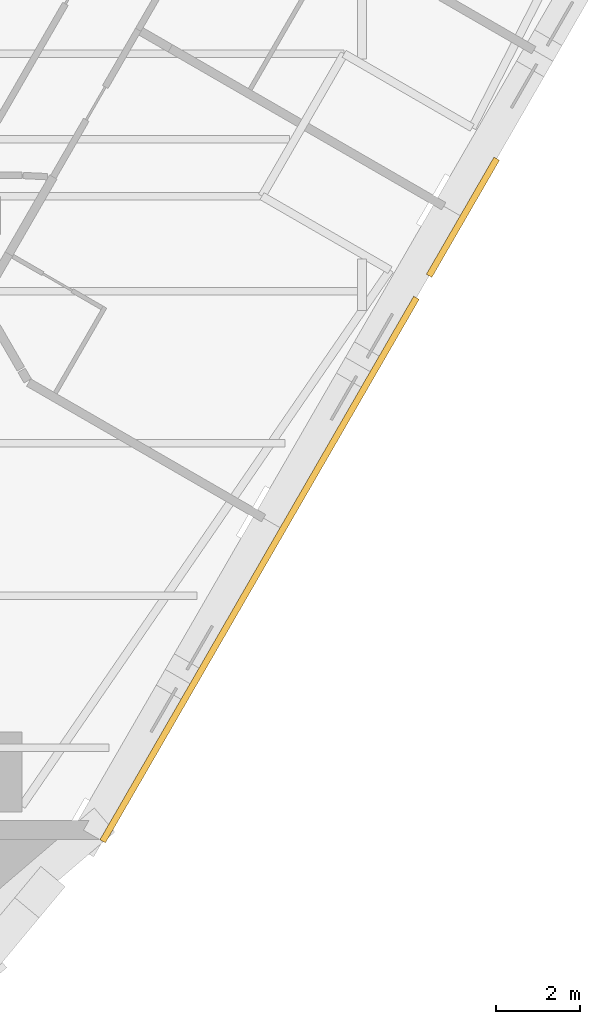
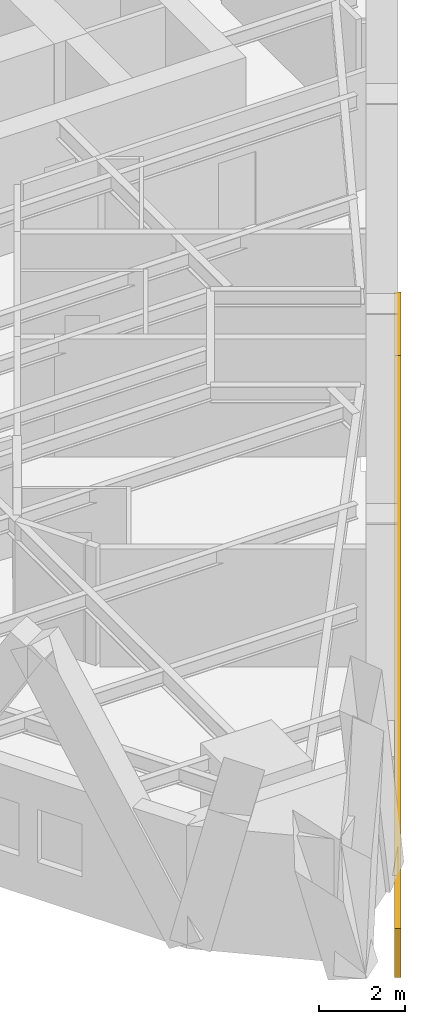
# One storey, part 8 of 9: 2 coverings.
"""IFC4 building model written with IfcOpenShell, lengths in metres."""

import ifcopenshell
import ifcopenshell.guid

model = None  # the IFC model being written
_history = None  # IfcOwnerHistory: only IFC2X3 demands one
_inside = {}  # id of a spatial element -> (the spatial element, [elements in it])
_under = {}  # id of a project, library or spatial element -> (it, [spatial elements below it])
_declared = {}  # id of a project -> (the project, [libraries it declares])
_typed = {}  # id of a type object -> (the type object, [elements of that type])
_made_of = {}  # id of a material, layer set ... -> (it, [elements and type objects made of it])


def new_model(schema):
    """Start an empty IFC model of exactly this schema.

    Asked for "IFC4X3", IfcOpenShell would pick the latest addendum, in which some entities
    have other attributes; the version numbers below select the first issue.
    IFC2X3 requires an IfcOwnerHistory on every rooted entity: one is made here for all.
    """
    global model, _history
    if schema == "IFC4X3":
        model = ifcopenshell.file(schema_version=(4, 3, 0, 0))
    else:
        model = ifcopenshell.file(schema=schema)
    _inside.clear()
    _under.clear()
    _declared.clear()
    _typed.clear()
    _made_of.clear()
    _history = None
    if model.schema == "IFC2X3":
        org = make("IfcOrganization", Name="unknown")
        user = make(
            "IfcPersonAndOrganization",
            ThePerson=make("IfcPerson", FamilyName="unknown"),
            TheOrganization=org,
        )
        app = make(
            "IfcApplication",
            ApplicationDeveloper=org,
            Version="unknown",
            ApplicationFullName="unknown",
            ApplicationIdentifier="unknown",
        )
        _history = make(
            "IfcOwnerHistory",
            OwningUser=user,
            OwningApplication=app,
            ChangeAction="ADDED",
            CreationDate=0,
        )
    return model


def make(cls, **values):
    """One entity of the class cls with the attributes given. An attribute that is None is left unset."""
    return model.create_entity(
        cls, **{name: value for name, value in values.items() if value is not None}
    )


def rooted(cls, **values):
    """An entity with a GlobalId (a new one), such as an element, a storey or a relation."""
    return make(cls, GlobalId=ifcopenshell.guid.new(), OwnerHistory=_history, **values)


def si_unit(unit_type, name, prefix=None):
    """IfcSIUnit, for example si_unit("LENGTHUNIT", "METRE", prefix="MILLI")."""
    return make("IfcSIUnit", UnitType=unit_type, Prefix=prefix, Name=name)


def assignment(units):
    """IfcUnitAssignment: the units of a project."""
    return None if units is None else make("IfcUnitAssignment", Units=units)


def point(xyz):
    """IfcCartesianPoint."""
    return None if xyz is None else make("IfcCartesianPoint", Coordinates=xyz)


def direction(xyz):
    """IfcDirection."""
    return None if xyz is None else make("IfcDirection", DirectionRatios=xyz)


def frame(location, z_axis=None, x_axis=None):
    """IfcAxis2Placement3D, a coordinate frame: its origin and axes. An axis left out is left unset."""
    return make(
        "IfcAxis2Placement3D",
        Location=point(location),
        Axis=direction(z_axis),
        RefDirection=direction(x_axis),
    )


def origin():
    """The frame at (0, 0, 0) with its axes left unset."""
    return frame((0.0, 0.0, 0.0))


def place(relative_to, where):
    """IfcLocalPlacement: puts the frame where relative to a parent placement (None: the world)."""
    return make(
        "IfcLocalPlacement", PlacementRelTo=relative_to, RelativePlacement=where
    )


def context(
    kind, dimensions, precision=None, world=None, true_north=None, identifier=None
):
    """IfcGeometricRepresentationContext, for example the 3D "Model" context."""
    return make(
        "IfcGeometricRepresentationContext",
        ContextIdentifier=identifier,
        ContextType=kind,
        CoordinateSpaceDimension=dimensions,
        Precision=precision,
        WorldCoordinateSystem=world,
        TrueNorth=true_north,
    )


def subcontext(parent, identifier, kind, view, scale=None):
    """IfcGeometricRepresentationSubContext, for example "Body" below "Model"."""
    return make(
        "IfcGeometricRepresentationSubContext",
        ContextIdentifier=identifier,
        ContextType=kind,
        ParentContext=parent,
        TargetScale=scale,
        TargetView=view,
    )


def project(units=None, contexts=None):
    """IfcProject with its units and contexts."""
    return rooted(
        "IfcProject",
        Name="project",
        RepresentationContexts=contexts,
        UnitsInContext=assignment(units),
    )


def spatial(cls, under=None, at=None, **own):
    """A site, building, storey or space (cls), placed at a placement, below another one or the project."""
    s = rooted(cls, ObjectPlacement=at, **own)
    if under is not None:
        _under.setdefault(under.id(), (under, []))[1].append(s)
    return s


def polyline(points):
    """IfcPolyline through the points."""
    return make("IfcPolyline", Points=[point(p) for p in points])


def outline(outer, holes=None, kind="AREA"):
    """IfcArbitraryClosedProfileDef: a profile drawn as a closed curve; with holes, ...WithVoids."""
    if holes is None:
        return make("IfcArbitraryClosedProfileDef", ProfileType=kind, OuterCurve=outer)
    return make(
        "IfcArbitraryProfileDefWithVoids",
        ProfileType=kind,
        OuterCurve=outer,
        InnerCurves=holes,
    )


def extrude(swept, where, along, depth):
    """IfcExtrudedAreaSolid: the profile swept, set in the frame where, extruded along a direction by depth."""
    return make(
        "IfcExtrudedAreaSolid",
        SweptArea=swept,
        Position=where,
        ExtrudedDirection=direction(along),
        Depth=depth,
    )


def shape(context_of_items, identifier, shape_type, items):
    """IfcShapeRepresentation: the items that make up one representation, for example the "Body"."""
    return make(
        "IfcShapeRepresentation",
        ContextOfItems=context_of_items,
        RepresentationIdentifier=identifier,
        RepresentationType=shape_type,
        Items=items,
    )


def material(Name=None, Category=None):
    """IfcMaterial."""
    return make("IfcMaterial", Name=Name, Category=Category)


def layer(
    of_material, thickness, ventilated=None, Name=None, Category=None, Priority=None
):
    """IfcMaterialLayer: one layer of a wall or slab, of a material (None: an air gap)."""
    return make(
        "IfcMaterialLayer",
        Material=of_material,
        LayerThickness=thickness,
        IsVentilated=ventilated,
        Name=Name,
        Category=Category,
        Priority=Priority,
    )


def layer_set(layers, Name=None):
    """IfcMaterialLayerSet."""
    return make("IfcMaterialLayerSet", MaterialLayers=layers, LayerSetName=Name)


def made_of(thing, what):
    """Note that an element or type object is made of a material, layer set ...; save() writes the relation."""
    if what is not None:
        _made_of.setdefault(what.id(), (what, []))[1].append(thing)
    return thing


def type_object(cls, material=None, **own):
    """A type object (cls), such as IfcWallType, which elements share."""
    return made_of(rooted(cls, **own), material)


def element(
    cls,
    number,
    at=None,
    inside=None,
    cuts=None,
    type_object=None,
    material=None,
    context=None,
    identifier="Body",
    shape_type=None,
    held_by="IfcProductDefinitionShape",
    body=None,
    shapes=None,
    **own,
):
    """One element of the class cls, such as IfcWall. Its Tag is "e" and its number.

    at: its placement. inside: the storey or other place that contains it. cuts: it is an
    opening in that element (IfcRelVoidsElement). A single representation is given by context,
    identifier, shape_type and body (its items); several are given by shapes. held_by: the class
    of the entity that holds the representations. save() writes the other relations.
    """
    e = rooted(cls, Tag="e%d" % number, ObjectPlacement=at, **own)
    if body is not None:
        shapes = [shape(context, identifier, shape_type, body)]
    if shapes is not None:
        e.Representation = make(held_by, Representations=shapes)
    if inside is not None:
        _inside.setdefault(inside.id(), (inside, []))[1].append(e)
    if cuts is not None:
        rooted(
            "IfcRelVoidsElement", RelatingBuildingElement=cuts, RelatedOpeningElement=e
        )
    if type_object is not None:
        _typed.setdefault(type_object.id(), (type_object, []))[1].append(e)
    return made_of(e, material)


def aggregate(whole, parts):
    """IfcRelAggregates: a whole, such as a stair, and the parts it consists of."""
    return rooted("IfcRelAggregates", RelatingObject=whole, RelatedObjects=parts)


def save(model, path):
    """Write the relations noted so far, then the file.

    IfcRelAggregates (storeys below a building ...), IfcRelContainedInSpatialStructure (elements
    in a storey), IfcRelDefinesByType, IfcRelAssociatesMaterial and IfcRelDeclares: one each for
    every whole, place, type object, material and project.
    """
    for whole, parts in _under.values():
        aggregate(whole, parts)
    for where, things in _inside.values():
        rooted(
            "IfcRelContainedInSpatialStructure",
            RelatedElements=things,
            RelatingStructure=where,
        )
    for kind, things in _typed.values():
        rooted("IfcRelDefinesByType", RelatedObjects=things, RelatingType=kind)
    for what, things in _made_of.values():
        rooted("IfcRelAssociatesMaterial", RelatedObjects=things, RelatingMaterial=what)
    for by, libraries in _declared.values():
        rooted("IfcRelDeclares", RelatingContext=by, RelatedDefinitions=libraries)
    model.write(path)


model = new_model("IFC4")

# Units and contexts
model_context = context("Model", 3, precision=1e-05, world=origin(), true_north=direction((0.0, 1.0)))
body_context = subcontext(model_context, "Body", "Model", "MODEL_VIEW")
ifc_project = project(units=[si_unit("LENGTHUNIT", "METRE"), si_unit("AREAUNIT", "SQUARE_METRE"), si_unit("VOLUMEUNIT", "CUBIC_METRE"), si_unit("PLANEANGLEUNIT", "RADIAN"), si_unit("MASSUNIT", "GRAM", prefix="KILO")], contexts=[model_context])

# Site, building, storey
site_placement = place(None, origin())
site = spatial("IfcSite", under=ifc_project, at=site_placement, CompositionType="ELEMENT")
building_placement = place(site_placement, origin())
building = spatial("IfcBuilding", under=site, at=building_placement, Name="Aloe Facet Convention Tower", CompositionType="ELEMENT")
storey_placement = place(building_placement, frame((0.0, 0.0, 109.800048828125)))
storey = spatial("IfcBuildingStorey", under=building, at=storey_placement, Name="L27", CompositionType="ELEMENT", Elevation=109.800048828125)

# Coverings
ifc_material = material(Name="Bronze oxide fascia sheet")
ifc_layer = layer(ifc_material, 0.14990234375)
ifc_layer_set = layer_set([ifc_layer], Name="EV-FASCIA-TERR")
covering_type = type_object("IfcCoveringType", Name="EV-FASCIA-TERR", PredefinedType="CLADDING", material=ifc_layer_set)
covering_1_placement = place(storey_placement, frame((0.0, 0.0, 2.949951171875)))
element("IfcCovering", 1, at=covering_1_placement, inside=storey, type_object=covering_type, Name="Terrace fascia T06 sill", PredefinedType="CLADDING", context=body_context, shape_type="SweptSolid", body=[
    extrude(outline(polyline([(90.658447265625, 106.53173828125), (92.258544921875, 109.302978515625), (92.128662109375, 109.3779296875), (90.528564453125, 106.606689453125), (90.658447265625, 106.53173828125)])), origin(), (0.0, 0.0, 1.0), 0.550048828125),
])
covering_2_placement = place(storey_placement, frame((82.929931640625, 93.145263671875, -2.93994140625), z_axis=(0.866029060328, -0.499993666627, 0.0), x_axis=(0.464801550951, 0.805073498478, 0.368532468422)))
element("IfcCovering", 2, at=covering_2_placement, inside=storey, type_object=covering_type, Name="Spiral ribbon zone 2 part 9", PredefinedType="CLADDING", context=body_context, shape_type="SweptSolid", body=[
    extrude(outline(polyline([(0.0, 0.0), (15.982018092841349, -8.881784197001252e-16), (16.49792755913373, 1.3013700452318142), (0.5159094662923787, 1.301370045231815), (0.0, 0.0)])), origin(), (0.0, 0.0, -1.0), 0.14990234375),
])

save(model, "model.ifc")
